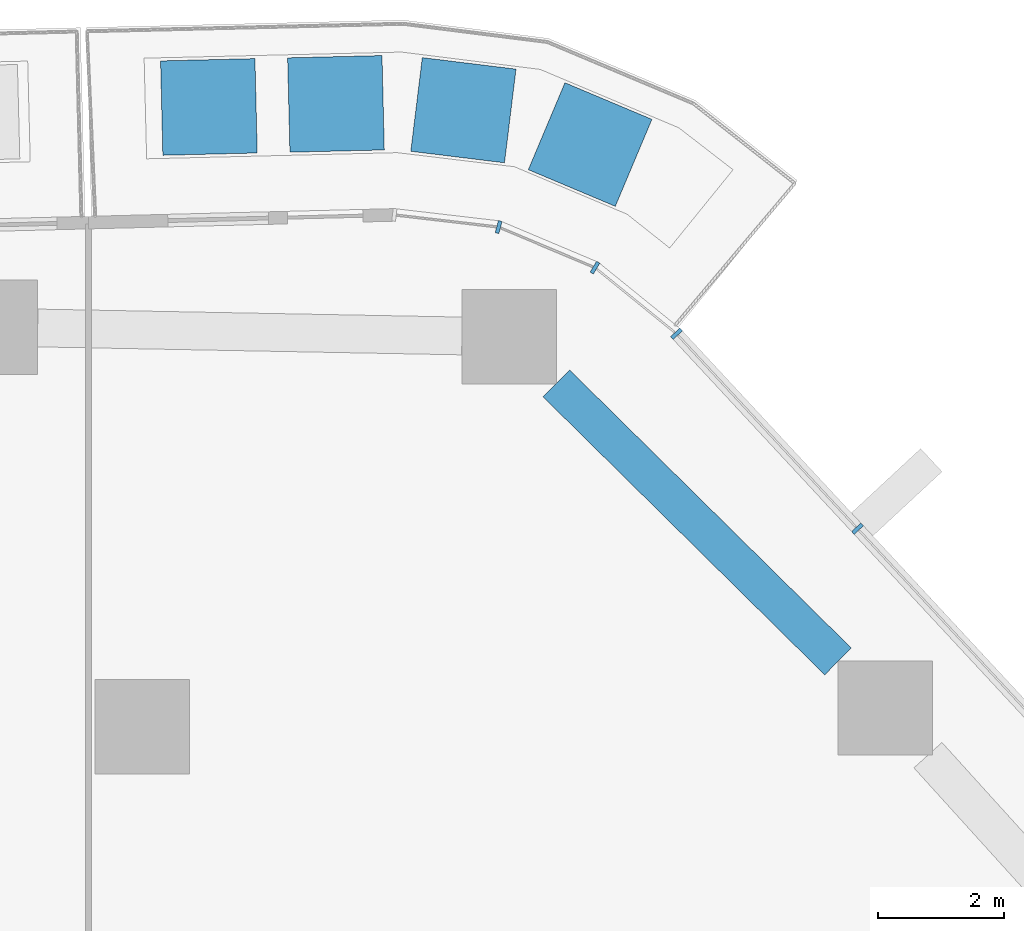
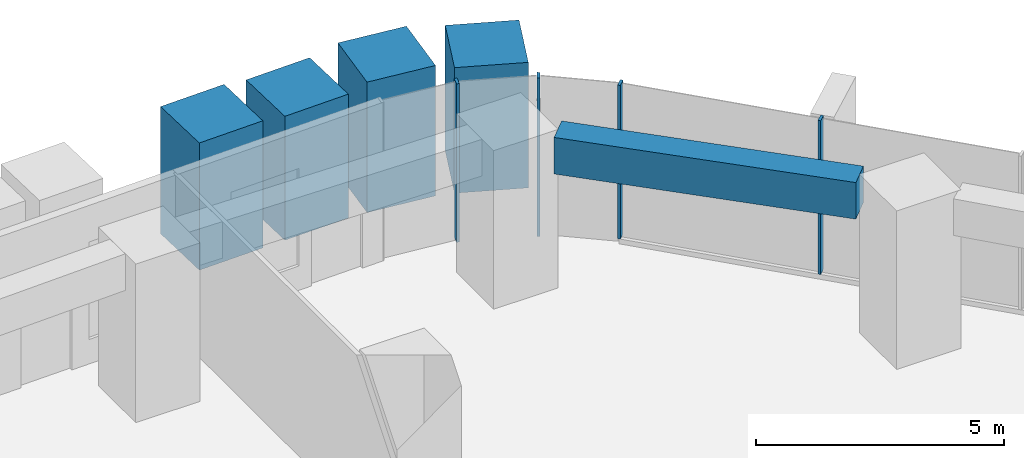
# One storey, part 9 of 23: 8 members, 1 beam, 2 elements without a shape of their own.
"""IFC4 building model written with IfcOpenShell, lengths in metres."""

import ifcopenshell
import ifcopenshell.guid

model = None  # the IFC model being written
_history = None  # IfcOwnerHistory: only IFC2X3 demands one
_inside = {}  # id of a spatial element -> (the spatial element, [elements in it])
_under = {}  # id of a project, library or spatial element -> (it, [spatial elements below it])
_declared = {}  # id of a project -> (the project, [libraries it declares])
_typed = {}  # id of a type object -> (the type object, [elements of that type])
_made_of = {}  # id of a material, layer set ... -> (it, [elements and type objects made of it])


def new_model(schema):
    """Start an empty IFC model of exactly this schema.

    Asked for "IFC4X3", IfcOpenShell would pick the latest addendum, in which some entities
    have other attributes; the version numbers below select the first issue.
    IFC2X3 requires an IfcOwnerHistory on every rooted entity: one is made here for all.
    """
    global model, _history
    if schema == "IFC4X3":
        model = ifcopenshell.file(schema_version=(4, 3, 0, 0))
    else:
        model = ifcopenshell.file(schema=schema)
    _inside.clear()
    _under.clear()
    _declared.clear()
    _typed.clear()
    _made_of.clear()
    _history = None
    if model.schema == "IFC2X3":
        org = make("IfcOrganization", Name="unknown")
        user = make(
            "IfcPersonAndOrganization",
            ThePerson=make("IfcPerson", FamilyName="unknown"),
            TheOrganization=org,
        )
        app = make(
            "IfcApplication",
            ApplicationDeveloper=org,
            Version="unknown",
            ApplicationFullName="unknown",
            ApplicationIdentifier="unknown",
        )
        _history = make(
            "IfcOwnerHistory",
            OwningUser=user,
            OwningApplication=app,
            ChangeAction="ADDED",
            CreationDate=0,
        )
    return model


def make(cls, **values):
    """One entity of the class cls with the attributes given. An attribute that is None is left unset."""
    return model.create_entity(
        cls, **{name: value for name, value in values.items() if value is not None}
    )


def rooted(cls, **values):
    """An entity with a GlobalId (a new one), such as an element, a storey or a relation."""
    return make(cls, GlobalId=ifcopenshell.guid.new(), OwnerHistory=_history, **values)


def si_unit(unit_type, name, prefix=None):
    """IfcSIUnit, for example si_unit("LENGTHUNIT", "METRE", prefix="MILLI")."""
    return make("IfcSIUnit", UnitType=unit_type, Prefix=prefix, Name=name)


def assignment(units):
    """IfcUnitAssignment: the units of a project."""
    return None if units is None else make("IfcUnitAssignment", Units=units)


def point(xyz):
    """IfcCartesianPoint."""
    return None if xyz is None else make("IfcCartesianPoint", Coordinates=xyz)


def direction(xyz):
    """IfcDirection."""
    return None if xyz is None else make("IfcDirection", DirectionRatios=xyz)


def frame(location, z_axis=None, x_axis=None):
    """IfcAxis2Placement3D, a coordinate frame: its origin and axes. An axis left out is left unset."""
    return make(
        "IfcAxis2Placement3D",
        Location=point(location),
        Axis=direction(z_axis),
        RefDirection=direction(x_axis),
    )


def frame_2d(location, x_axis=None):
    """IfcAxis2Placement2D, a coordinate frame in the plane: its origin and x axis."""
    return make(
        "IfcAxis2Placement2D", Location=point(location), RefDirection=direction(x_axis)
    )


def origin():
    """The frame at (0, 0, 0) with its axes left unset."""
    return frame((0.0, 0.0, 0.0))


def origin_2d():
    """The frame at (0, 0) in the plane with its x axis left unset."""
    return frame_2d((0.0, 0.0))


def place(relative_to, where):
    """IfcLocalPlacement: puts the frame where relative to a parent placement (None: the world)."""
    return make(
        "IfcLocalPlacement", PlacementRelTo=relative_to, RelativePlacement=where
    )


def context(
    kind, dimensions, precision=None, world=None, true_north=None, identifier=None
):
    """IfcGeometricRepresentationContext, for example the 3D "Model" context."""
    return make(
        "IfcGeometricRepresentationContext",
        ContextIdentifier=identifier,
        ContextType=kind,
        CoordinateSpaceDimension=dimensions,
        Precision=precision,
        WorldCoordinateSystem=world,
        TrueNorth=true_north,
    )


def subcontext(parent, identifier, kind, view, scale=None):
    """IfcGeometricRepresentationSubContext, for example "Body" below "Model"."""
    return make(
        "IfcGeometricRepresentationSubContext",
        ContextIdentifier=identifier,
        ContextType=kind,
        ParentContext=parent,
        TargetScale=scale,
        TargetView=view,
    )


def project(units=None, contexts=None):
    """IfcProject with its units and contexts."""
    return rooted(
        "IfcProject",
        Name="project",
        RepresentationContexts=contexts,
        UnitsInContext=assignment(units),
    )


def spatial(cls, under=None, at=None, **own):
    """A site, building, storey or space (cls), placed at a placement, below another one or the project."""
    s = rooted(cls, ObjectPlacement=at, **own)
    if under is not None:
        _under.setdefault(under.id(), (under, []))[1].append(s)
    return s


def profile(cls, at=None, kind="AREA", **sizes):
    """A parametric profile (cls). Its sizes go by their IFC names, for example OverallWidth=200.0."""
    return make(cls, ProfileType=kind, Position=at, **sizes)


def rectangle(**sizes):
    """IfcRectangleProfileDef."""
    return profile("IfcRectangleProfileDef", **sizes)


def extrude(swept, where, along, depth):
    """IfcExtrudedAreaSolid: the profile swept, set in the frame where, extruded along a direction by depth."""
    return make(
        "IfcExtrudedAreaSolid",
        SweptArea=swept,
        Position=where,
        ExtrudedDirection=direction(along),
        Depth=depth,
    )


def shape(context_of_items, identifier, shape_type, items):
    """IfcShapeRepresentation: the items that make up one representation, for example the "Body"."""
    return make(
        "IfcShapeRepresentation",
        ContextOfItems=context_of_items,
        RepresentationIdentifier=identifier,
        RepresentationType=shape_type,
        Items=items,
    )


def material(Name=None, Category=None):
    """IfcMaterial."""
    return make("IfcMaterial", Name=Name, Category=Category)


def layer(
    of_material, thickness, ventilated=None, Name=None, Category=None, Priority=None
):
    """IfcMaterialLayer: one layer of a wall or slab, of a material (None: an air gap)."""
    return make(
        "IfcMaterialLayer",
        Material=of_material,
        LayerThickness=thickness,
        IsVentilated=ventilated,
        Name=Name,
        Category=Category,
        Priority=Priority,
    )


def layer_set(layers, Name=None):
    """IfcMaterialLayerSet."""
    return make("IfcMaterialLayerSet", MaterialLayers=layers, LayerSetName=Name)


def material_profile(
    of_material, cross_section, Name=None, Category=None, Priority=None
):
    """IfcMaterialProfile: a cross section and its material."""
    return make(
        "IfcMaterialProfile",
        Name=Name,
        Material=of_material,
        Profile=cross_section,
        Priority=Priority,
        Category=Category,
    )


def profile_set(profiles, Name=None, composite=None):
    """IfcMaterialProfileSet."""
    return make(
        "IfcMaterialProfileSet",
        Name=Name,
        MaterialProfiles=profiles,
        CompositeProfile=composite,
    )


def made_of(thing, what):
    """Note that an element or type object is made of a material, layer set ...; save() writes the relation."""
    if what is not None:
        _made_of.setdefault(what.id(), (what, []))[1].append(thing)
    return thing


def type_object(cls, material=None, **own):
    """A type object (cls), such as IfcWallType, which elements share."""
    return made_of(rooted(cls, **own), material)


def element(
    cls,
    number,
    at=None,
    inside=None,
    cuts=None,
    type_object=None,
    material=None,
    context=None,
    identifier="Body",
    shape_type=None,
    held_by="IfcProductDefinitionShape",
    body=None,
    shapes=None,
    **own,
):
    """One element of the class cls, such as IfcWall. Its Tag is "e" and its number.

    at: its placement. inside: the storey or other place that contains it. cuts: it is an
    opening in that element (IfcRelVoidsElement). A single representation is given by context,
    identifier, shape_type and body (its items); several are given by shapes. held_by: the class
    of the entity that holds the representations. save() writes the other relations.
    """
    e = rooted(cls, Tag="e%d" % number, ObjectPlacement=at, **own)
    if body is not None:
        shapes = [shape(context, identifier, shape_type, body)]
    if shapes is not None:
        e.Representation = make(held_by, Representations=shapes)
    if inside is not None:
        _inside.setdefault(inside.id(), (inside, []))[1].append(e)
    if cuts is not None:
        rooted(
            "IfcRelVoidsElement", RelatingBuildingElement=cuts, RelatedOpeningElement=e
        )
    if type_object is not None:
        _typed.setdefault(type_object.id(), (type_object, []))[1].append(e)
    return made_of(e, material)


def aggregate(whole, parts):
    """IfcRelAggregates: a whole, such as a stair, and the parts it consists of."""
    return rooted("IfcRelAggregates", RelatingObject=whole, RelatedObjects=parts)


def save(model, path):
    """Write the relations noted so far, then the file.

    IfcRelAggregates (storeys below a building ...), IfcRelContainedInSpatialStructure (elements
    in a storey), IfcRelDefinesByType, IfcRelAssociatesMaterial and IfcRelDeclares: one each for
    every whole, place, type object, material and project.
    """
    for whole, parts in _under.values():
        aggregate(whole, parts)
    for where, things in _inside.values():
        rooted(
            "IfcRelContainedInSpatialStructure",
            RelatedElements=things,
            RelatingStructure=where,
        )
    for kind, things in _typed.values():
        rooted("IfcRelDefinesByType", RelatedObjects=things, RelatingType=kind)
    for what, things in _made_of.values():
        rooted("IfcRelAssociatesMaterial", RelatedObjects=things, RelatingMaterial=what)
    for by, libraries in _declared.values():
        rooted("IfcRelDeclares", RelatingContext=by, RelatedDefinitions=libraries)
    model.write(path)


model = new_model("IFC4")

# Units and contexts
model_context = context("Model", 3, precision=1e-05, world=origin(), true_north=direction((0.0, 1.0)))
body_context = subcontext(model_context, "Body", "Model", "MODEL_VIEW")
ifc_project = project(units=[si_unit("LENGTHUNIT", "METRE"), si_unit("AREAUNIT", "SQUARE_METRE"), si_unit("VOLUMEUNIT", "CUBIC_METRE"), si_unit("PLANEANGLEUNIT", "RADIAN"), si_unit("MASSUNIT", "GRAM", prefix="KILO")], contexts=[model_context])

# Site, building, storey
site_placement = place(None, origin())
site = spatial("IfcSite", under=ifc_project, at=site_placement, CompositionType="ELEMENT")
building_placement = place(site_placement, origin())
building = spatial("IfcBuilding", under=site, at=building_placement, Name="Dongbaek Canopy Tower", CompositionType="ELEMENT")
storey_placement = place(building_placement, frame((0.0, 0.0, 84.699951171875)))
storey = spatial("IfcBuildingStorey", under=building, at=storey_placement, Name="L17", CompositionType="ELEMENT", Elevation=84.699951171875)

# Curtain wall, members
ifc_material_1 = material(Name="Aluminium 6063-T6 pale anodised", Category="aluminium")
ifc_layer = layer(ifc_material_1, 0.199951171875)
ifc_layer_set = layer_set([ifc_layer], Name="CW-1 unitised tower curtain wall")
curtain_wall_type = type_object("IfcCurtainWallType", Name="CW-1 unitised tower curtain wall", PredefinedType="NOTDEFINED", material=ifc_layer_set)
curtain_wall_1_placement = place(storey_placement, origin())
curtain_wall_1 = element("IfcCurtainWall", 1, at=curtain_wall_1_placement, inside=storey, type_object=curtain_wall_type, Name="CW-1 curtain wall F0.1", PredefinedType="NOTDEFINED")
ifc_material_2 = material(Name="Aluminium 6063-T6 pale anodised", Category="aluminium")
ifc_material_profile_1 = material_profile(ifc_material_2, rectangle(XDim=0.199951171875, YDim=0.06005859375, at=origin_2d()), Name="CW-1 mullion 60 x 200")
ifc_profile_set_1 = profile_set([ifc_material_profile_1], Name="Aluminium 6063-T6 pale anodised")
member_type_1 = type_object("IfcMemberType", Name="CW-1 mullion 60 x 200", PredefinedType="MULLION", material=ifc_profile_set_1)
member_1_placement = place(storey_placement, frame((20.365478515625, 30.146240234375, 0.1201171875), z_axis=(0.0, 0.0, 1.0), x_axis=(0.732752863819, 0.680494849771, 0.0)))
member_1 = element("IfcMember", 2, at=member_1_placement, type_object=member_type_1, Name="CW-1 mullion F0.1.7", PredefinedType="MULLION", context=body_context, shape_type="SweptSolid", body=[
    extrude(rectangle(XDim=0.199951171875, YDim=0.06005859375, at=origin_2d()), origin(), (0.0, 0.0, 1.0), 3.780029296875),
])
member_2_placement = place(storey_placement, frame((17.489501953125, 33.2431640625, 0.1201171875), z_axis=(0.0, 0.0, 1.0), x_axis=(0.732752863819, 0.680494849771, 0.0)))
member_2 = element("IfcMember", 3, at=member_2_placement, type_object=member_type_1, Name="CW-1 mullion F0.1.8", PredefinedType="MULLION", context=body_context, shape_type="SweptSolid", body=[
    extrude(rectangle(XDim=0.199951171875, YDim=0.06005859375, at=origin_2d()), origin(), (0.0, 0.0, 1.0), 3.780029296875),
])
aggregate(curtain_wall_1, [member_1, member_2])

curtain_wall_2_placement = place(storey_placement, origin())
curtain_wall_2 = element("IfcCurtainWall", 4, at=curtain_wall_2_placement, inside=storey, type_object=curtain_wall_type, Name="CW-1 curtain wall K1.1", PredefinedType="NOTDEFINED")
member_3_placement = place(storey_placement, frame((16.193603515625, 34.293212890625, 0.0), z_axis=(0.0, 0.0, 1.0), x_axis=(0.514020313971, 0.85777801139, 0.0)))
member_3 = element("IfcMember", 5, at=member_3_placement, type_object=member_type_1, Name="CW-1 mullion K1.1.2", PredefinedType="MULLION", context=body_context, shape_type="SweptSolid", body=[
    extrude(rectangle(XDim=0.199951171875, YDim=0.06005859375, at=origin_2d()), origin(), (0.0, 0.0, 1.0), 3.900146484375),
])
member_4_placement = place(storey_placement, frame((14.6630859375, 34.93798828125, 0.0), z_axis=(0.0, 0.0, 1.0), x_axis=(0.254539704422, 0.967062324193, 0.0)))
member_4 = element("IfcMember", 6, at=member_4_placement, type_object=member_type_1, Name="CW-1 mullion K1.1.3", PredefinedType="MULLION", context=body_context, shape_type="SweptSolid", body=[
    extrude(rectangle(XDim=0.199951171875, YDim=0.06005859375, at=origin_2d()), origin(), (0.0, 0.0, 1.0), 3.900146484375),
])
aggregate(curtain_wall_2, [member_3, member_4])

# Beam
ifc_material_3 = material(Name="Concrete C80", Category="concrete")
ifc_material_profile_2 = material_profile(ifc_material_3, rectangle(XDim=0.60009765625, YDim=0.89990234375, at=origin_2d()), Name="RC EDGE BEAM 600x900 C80")
ifc_profile_set_2 = profile_set([ifc_material_profile_2], Name="Concrete C80")
beam_type = type_object("IfcBeamType", Name="RC EDGE BEAM 600x900 C80", PredefinedType="BEAM", material=ifc_profile_set_2)
beam_placement = place(storey_placement, frame((15.580078125, 32.453857421875, 3.449951171875), z_axis=(0.711712436236, -0.702470930435, 0.0), x_axis=(0.702470930435, 0.711712436236, 0.0)))
element("IfcBeam", 7, at=beam_placement, inside=storey, type_object=beam_type, Name="EDGEBEAM:L17:17", PredefinedType="BEAM", context=body_context, shape_type="SweptSolid", body=[
    extrude(rectangle(XDim=0.60009765625, YDim=0.89990234375, at=origin_2d()), origin(), (0.0, 0.0, 1.0), 6.287353515625),
])

# Members
ifc_material_4 = material(Name="Concrete C40/50 planter mass with planting", Category="concrete")
ifc_material_profile_3 = material_profile(ifc_material_4, rectangle(XDim=1.5, YDim=1.5, at=origin_2d()), Name="Terrace PLANTER shrub mass 1500 x 1500")
ifc_profile_set_3 = profile_set([ifc_material_profile_3], Name="Concrete C40/50 planter mass with planting")
member_type_2 = type_object("IfcMemberType", Name="Terrace PLANTER shrub mass 1500 x 1500", PredefinedType="USERDEFINED", material=ifc_profile_set_3)
member_5_placement = place(storey_placement, frame((16.11669921875, 36.249755859375, 0.420166015625), z_axis=(0.0, 0.0, 1.0), x_axis=(0.388145450467, 0.921598127864, 0.0)))
element("IfcMember", 8, at=member_5_placement, inside=storey, type_object=member_type_2, Name="Planter shrubs L17 5.1", ObjectType="PLANTER", PredefinedType="USERDEFINED", context=body_context, shape_type="SweptSolid", body=[
    extrude(rectangle(XDim=1.5, YDim=1.5, at=origin_2d()), origin(), (0.0, 0.0, 1.0), 3.08984375),
])
member_6_placement = place(storey_placement, frame((14.103271484375, 36.794921875, 0.420166015625), z_axis=(0.0, 0.0, 1.0), x_axis=(0.121985712555, 0.992531856382, 0.0)))
element("IfcMember", 9, at=member_6_placement, inside=storey, type_object=member_type_2, Name="Planter shrubs L17 5.2", ObjectType="PLANTER", PredefinedType="USERDEFINED", context=body_context, shape_type="SweptSolid", body=[
    extrude(rectangle(XDim=1.5, YDim=1.5, at=origin_2d()), origin(), (0.0, 0.0, 1.0), 3.2099609375),
])
member_7_placement = place(storey_placement, frame((12.078369140625, 36.895263671875, 0.420166015625), z_axis=(0.0, 0.0, 1.0), x_axis=(-0.024076253159, 0.999710125003, 0.0)))
element("IfcMember", 10, at=member_7_placement, inside=storey, type_object=member_type_2, Name="Planter shrubs L17 5.3", ObjectType="PLANTER", PredefinedType="USERDEFINED", context=body_context, shape_type="SweptSolid", body=[
    extrude(rectangle(XDim=1.5, YDim=1.5, at=origin_2d()), origin(), (0.0, 0.0, 1.0), 3.0498046875),
])
member_8_placement = place(storey_placement, frame((10.0595703125, 36.8466796875, 0.420166015625), z_axis=(0.0, 0.0, 1.0), x_axis=(-0.024076253159, 0.999710125003, 0.0)))
element("IfcMember", 11, at=member_8_placement, inside=storey, type_object=member_type_2, Name="Planter shrubs L17 5.4", ObjectType="PLANTER", PredefinedType="USERDEFINED", context=body_context, shape_type="SweptSolid", body=[
    extrude(rectangle(XDim=1.5, YDim=1.5, at=origin_2d()), origin(), (0.0, 0.0, 1.0), 3.1298828125),
])

save(model, "model.ifc")
